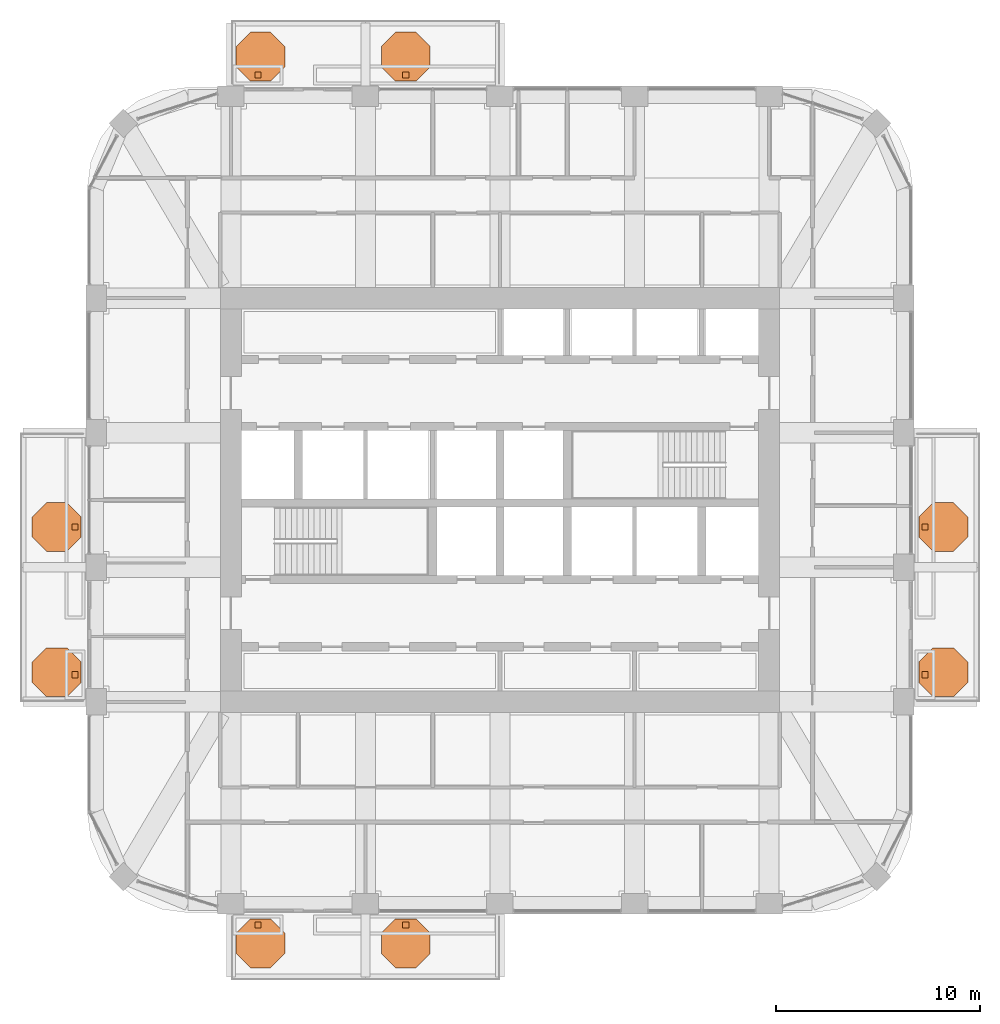
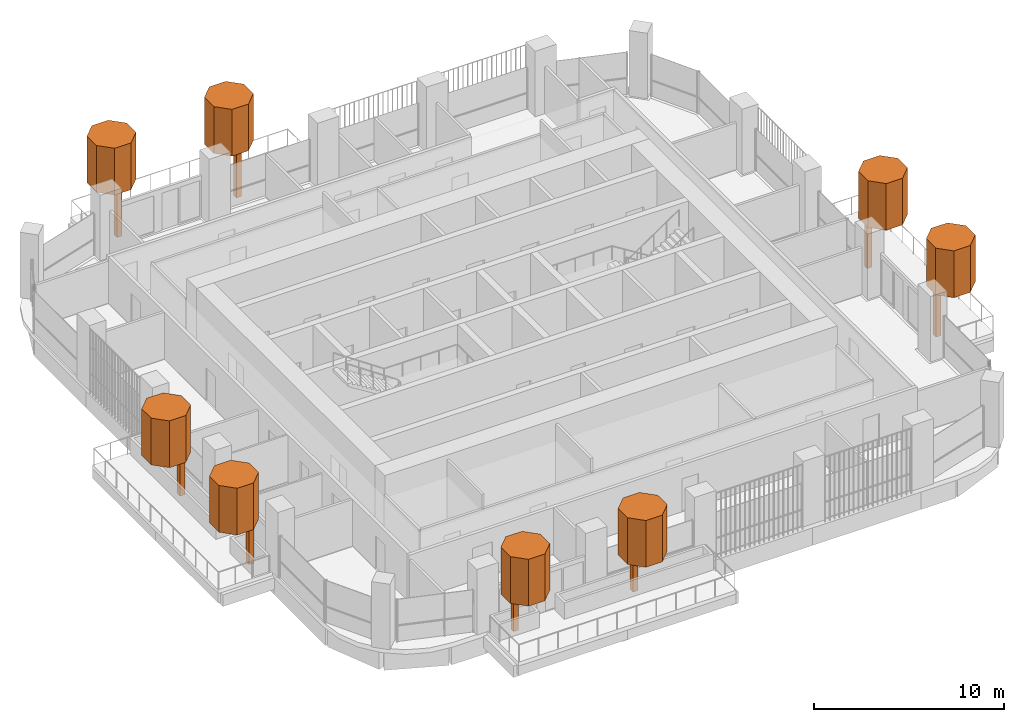
# One storey, part 20 of 20: 16 geographic elements.
"""IFC4 building model written with IfcOpenShell, lengths in metres."""

from ifc_helpers import new_model, si_unit, direction, frame, origin, origin_2d, place, context, subcontext, project, spatial, polyline, rectangle, outline, extrude, material, type_object, element, save


model = new_model("IFC4")

# Units and contexts
model_context = context("Model", 3, precision=1e-05, world=origin(), true_north=direction((0.0, 1.0)))
body_context = subcontext(model_context, "Body", "Model", "MODEL_VIEW")
ifc_project = project(units=[si_unit("LENGTHUNIT", "METRE"), si_unit("AREAUNIT", "SQUARE_METRE"), si_unit("VOLUMEUNIT", "CUBIC_METRE"), si_unit("PLANEANGLEUNIT", "RADIAN"), si_unit("MASSUNIT", "GRAM", prefix="KILO")], contexts=[model_context])

# Site, building, storey
site_placement = place(None, origin())
site = spatial("IfcSite", under=ifc_project, at=site_placement, CompositionType="ELEMENT")
building_placement = place(site_placement, origin())
building = spatial("IfcBuilding", under=site, at=building_placement, Name="Cobogo Forest Laboratory Tower", CompositionType="ELEMENT")
storey_placement = place(building_placement, frame((0.0, 0.0, 246.0)))
storey = spatial("IfcBuildingStorey", under=building, at=storey_placement, Name="L56", CompositionType="ELEMENT", Elevation=246.0)

# Geographic elements
ifc_material = material(Name="Planting", Category="plant")
geographic_element_type_1 = type_object("IfcGeographicElementType", Name="Tree trunk 300", PredefinedType="USERDEFINED", material=ifc_material)
for number, where, z_axis, x_axis, name in (
    (1, (14.52490234375, 2.25, 0.0), (0.0, 0.0, 1.0), (1.0, 0.0, 0.0), "Tree trunk BAL-S1-PL1 L56"),
    (2, (21.77490234375, 2.25, 0.0), (0.0, 0.0, 1.0), (1.0, 0.0, 0.0), "Tree trunk BAL-S1-PL2 L56"),
    (3, (47.25, 14.52490234375, 0.0), (0.0, 0.0, 1.0), (1.0, 0.0, 0.0), "Tree trunk BAL-E1-PL1 L56"),
    (4, (47.25, 21.77490234375, 0.0), (0.0, 0.0, 1.0), (1.0, 0.0, 0.0), "Tree trunk BAL-E1-PL2 L56"),
    (5, (14.52490234375, 43.949951171875, 0.0), (0.0, 0.0, 1.0), (1.0, 0.0, 0.0), "Tree trunk BAL-N1-PL1 L56"),
    (6, (21.77490234375, 43.949951171875, 0.0), (0.0, 0.0, 1.0), (1.0, 0.0, 0.0), "Tree trunk BAL-N1-PL2 L56"),
    (7, (5.550048828125, 14.52490234375, 0.0), (0.0, 0.0, 1.0), (1.0, 0.0, 0.0), "Tree trunk BAL-W1-PL1 L56"),
    (8, (5.550048828125, 21.77490234375, 0.0), (0.0, 0.0, 1.0), (1.0, 0.0, 0.0), "Tree trunk BAL-W1-PL2 L56"),
):
    element("IfcGeographicElement", number, at=place(storey_placement, frame(where, z_axis=z_axis, x_axis=x_axis)), inside=storey, type_object=geographic_element_type_1, Name=name, ObjectType="TREE TRUNK", PredefinedType="USERDEFINED", context=body_context, shape_type="SweptSolid", body=[
        extrude(rectangle(XDim=0.300048828125, YDim=0.300048828125, at=origin_2d()), origin(), (0.0, 0.0, 1.0), 2.89990234375),
    ])
geographic_element_type_2 = type_object("IfcGeographicElementType", Name="Tree, holm oak 5 m", PredefinedType="USERDEFINED", material=ifc_material)
geographic_element_1_placement = place(storey_placement, frame((0.0, 0.0, 2.89990234375)))
element("IfcGeographicElement", 9, at=geographic_element_1_placement, inside=storey, type_object=geographic_element_type_2, Name="Holm tree BAL-S1-PL1 L56", ObjectType="TREE", PredefinedType="USERDEFINED", context=body_context, shape_type="SweptSolid", body=[
    extrude(outline(polyline([(15.85009765625, 0.85302734375), (15.85009765625, 1.84716796875), (15.14697265625, 2.550048828125), (14.15283203125, 2.550048828125), (13.449951171875, 1.84716796875), (13.449951171875, 0.85302734375), (14.15283203125, 0.14990234375), (15.14697265625, 0.14990234375), (15.85009765625, 0.85302734375)])), origin(), (0.0, 0.0, 1.0), 3.0),
])
geographic_element_2_placement = place(storey_placement, frame((0.0, 0.0, 2.89990234375)))
element("IfcGeographicElement", 10, at=geographic_element_2_placement, inside=storey, type_object=geographic_element_type_2, Name="Holm tree BAL-S1-PL2 L56", ObjectType="TREE", PredefinedType="USERDEFINED", context=body_context, shape_type="SweptSolid", body=[
    extrude(outline(polyline([(22.97509765625, 0.85302734375), (22.97509765625, 1.84716796875), (22.27197265625, 2.550048828125), (21.27783203125, 2.550048828125), (20.574951171875, 1.84716796875), (20.574951171875, 0.85302734375), (21.27783203125, 0.14990234375), (22.27197265625, 0.14990234375), (22.97509765625, 0.85302734375)])), origin(), (0.0, 0.0, 1.0), 3.0),
])
geographic_element_3_placement = place(storey_placement, frame((0.0, 0.0, 2.89990234375)))
element("IfcGeographicElement", 11, at=geographic_element_3_placement, inside=storey, type_object=geographic_element_type_2, Name="Holm tree BAL-E1-PL1 L56", ObjectType="TREE", PredefinedType="USERDEFINED", context=body_context, shape_type="SweptSolid", body=[
    extrude(outline(polyline([(49.35009765625, 14.15283203125), (49.35009765625, 15.14697265625), (48.64697265625, 15.85009765625), (47.65283203125, 15.85009765625), (46.949951171875, 15.14697265625), (46.949951171875, 14.15283203125), (47.65283203125, 13.449951171875), (48.64697265625, 13.449951171875), (49.35009765625, 14.15283203125)])), origin(), (0.0, 0.0, 1.0), 3.0),
])
geographic_element_4_placement = place(storey_placement, frame((0.0, 0.0, 2.89990234375)))
element("IfcGeographicElement", 12, at=geographic_element_4_placement, inside=storey, type_object=geographic_element_type_2, Name="Holm tree BAL-E1-PL2 L56", ObjectType="TREE", PredefinedType="USERDEFINED", context=body_context, shape_type="SweptSolid", body=[
    extrude(outline(polyline([(49.35009765625, 21.27783203125), (49.35009765625, 22.27197265625), (48.64697265625, 22.97509765625), (47.65283203125, 22.97509765625), (46.949951171875, 22.27197265625), (46.949951171875, 21.27783203125), (47.65283203125, 20.574951171875), (48.64697265625, 20.574951171875), (49.35009765625, 21.27783203125)])), origin(), (0.0, 0.0, 1.0), 3.0),
])
geographic_element_5_placement = place(storey_placement, frame((0.0, 0.0, 2.89990234375)))
element("IfcGeographicElement", 13, at=geographic_element_5_placement, inside=storey, type_object=geographic_element_type_2, Name="Holm tree BAL-N1-PL1 L56", ObjectType="TREE", PredefinedType="USERDEFINED", context=body_context, shape_type="SweptSolid", body=[
    extrude(outline(polyline([(15.85009765625, 44.35302734375), (15.85009765625, 45.34716796875), (15.14697265625, 46.050048828125), (14.15283203125, 46.050048828125), (13.449951171875, 45.34716796875), (13.449951171875, 44.35302734375), (14.15283203125, 43.64990234375), (15.14697265625, 43.64990234375), (15.85009765625, 44.35302734375)])), origin(), (0.0, 0.0, 1.0), 3.0),
])
geographic_element_6_placement = place(storey_placement, frame((0.0, 0.0, 2.89990234375)))
element("IfcGeographicElement", 14, at=geographic_element_6_placement, inside=storey, type_object=geographic_element_type_2, Name="Holm tree BAL-N1-PL2 L56", ObjectType="TREE", PredefinedType="USERDEFINED", context=body_context, shape_type="SweptSolid", body=[
    extrude(outline(polyline([(22.97509765625, 44.35302734375), (22.97509765625, 45.34716796875), (22.27197265625, 46.050048828125), (21.27783203125, 46.050048828125), (20.574951171875, 45.34716796875), (20.574951171875, 44.35302734375), (21.27783203125, 43.64990234375), (22.27197265625, 43.64990234375), (22.97509765625, 44.35302734375)])), origin(), (0.0, 0.0, 1.0), 3.0),
])
geographic_element_7_placement = place(storey_placement, frame((0.0, 0.0, 2.89990234375)))
element("IfcGeographicElement", 15, at=geographic_element_7_placement, inside=storey, type_object=geographic_element_type_2, Name="Holm tree BAL-W1-PL1 L56", ObjectType="TREE", PredefinedType="USERDEFINED", context=body_context, shape_type="SweptSolid", body=[
    extrude(outline(polyline([(5.85009765625, 14.15283203125), (5.85009765625, 15.14697265625), (5.14697265625, 15.85009765625), (4.15283203125, 15.85009765625), (3.449951171875, 15.14697265625), (3.449951171875, 14.15283203125), (4.15283203125, 13.449951171875), (5.14697265625, 13.449951171875), (5.85009765625, 14.15283203125)])), origin(), (0.0, 0.0, 1.0), 3.0),
])
geographic_element_8_placement = place(storey_placement, frame((0.0, 0.0, 2.89990234375)))
element("IfcGeographicElement", 16, at=geographic_element_8_placement, inside=storey, type_object=geographic_element_type_2, Name="Holm tree BAL-W1-PL2 L56", ObjectType="TREE", PredefinedType="USERDEFINED", context=body_context, shape_type="SweptSolid", body=[
    extrude(outline(polyline([(5.85009765625, 21.27783203125), (5.85009765625, 22.27197265625), (5.14697265625, 22.97509765625), (4.15283203125, 22.97509765625), (3.449951171875, 22.27197265625), (3.449951171875, 21.27783203125), (4.15283203125, 20.574951171875), (5.14697265625, 20.574951171875), (5.85009765625, 21.27783203125)])), origin(), (0.0, 0.0, 1.0), 3.0),
])

save(model, "model.ifc")
